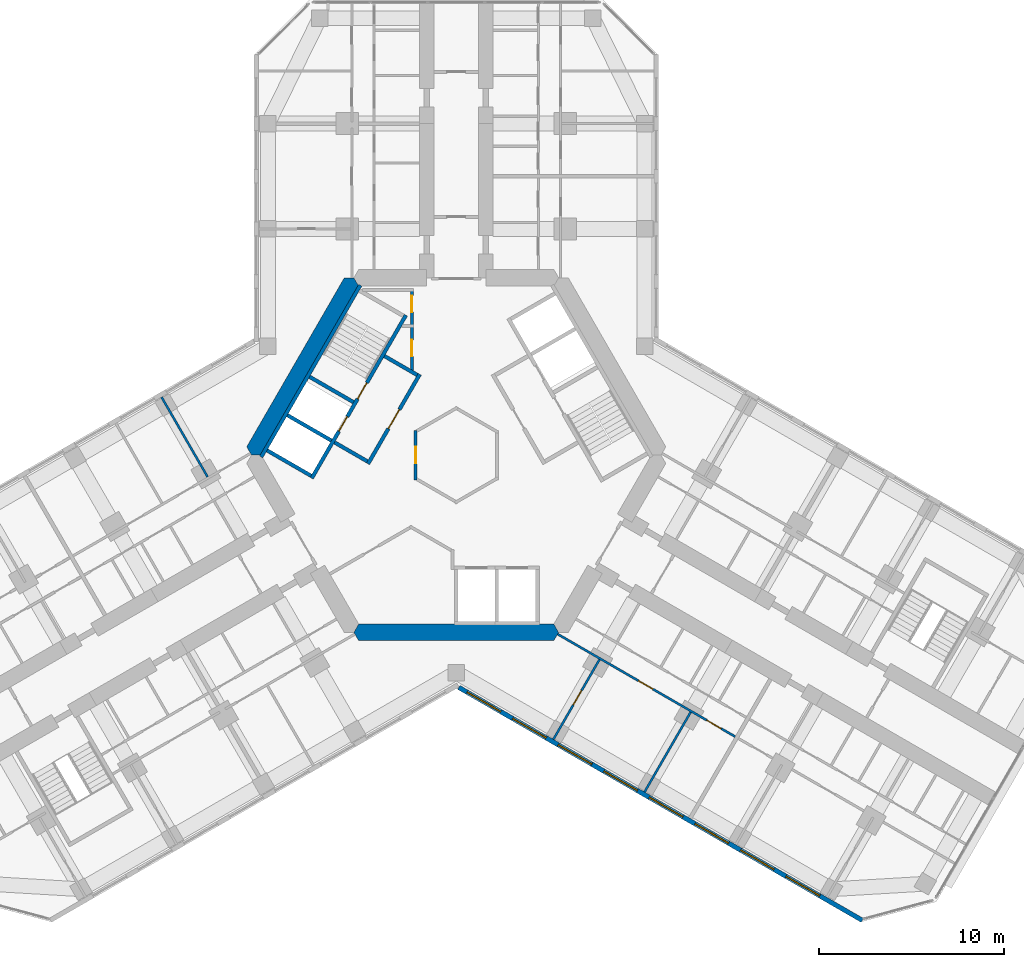
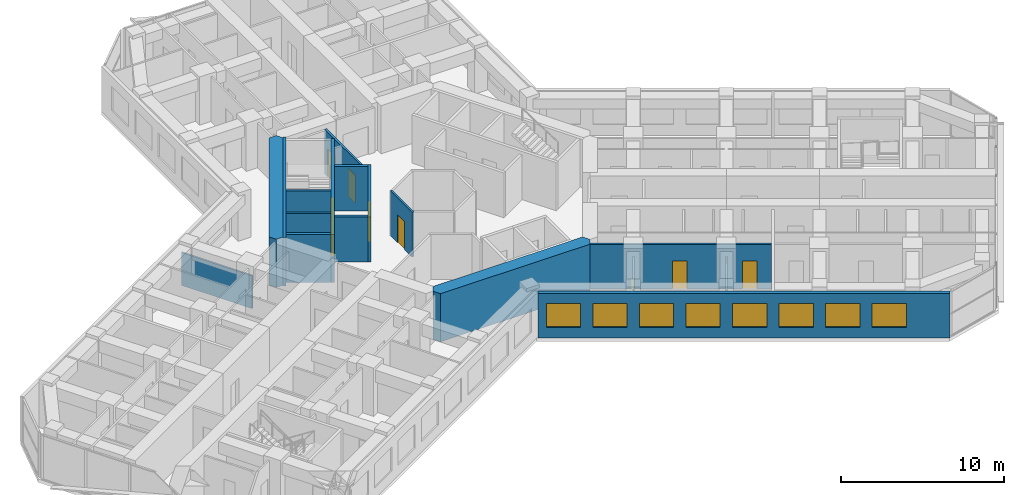
# One storey, part 13 of 20: 17 walls, 9 doors, 8 windows, 17 openings.
"""IFC4 building model written with IfcOpenShell, lengths in metres."""

from ifc_helpers import new_model, si_unit, direction, frame, frame_2d, origin, place, context, subcontext, project, spatial, polyline, rectangle, outline, extrude, material, layer, layer_set, type_object, element, fill, save


model = new_model("IFC4")

# Units and contexts
model_context = context("Model", 3, precision=1e-05, world=origin(), true_north=direction((0.0, 1.0)))
body_context = subcontext(model_context, "Body", "Model", "MODEL_VIEW")
ifc_project = project(units=[si_unit("LENGTHUNIT", "METRE"), si_unit("AREAUNIT", "SQUARE_METRE"), si_unit("VOLUMEUNIT", "CUBIC_METRE"), si_unit("PLANEANGLEUNIT", "RADIAN"), si_unit("MASSUNIT", "GRAM", prefix="KILO")], contexts=[model_context])

# Site, building, storey
site_placement = place(None, origin())
site = spatial("IfcSite", under=ifc_project, at=site_placement, CompositionType="ELEMENT")
building_placement = place(site_placement, origin())
building = spatial("IfcBuilding", under=site, at=building_placement, Name="Kosmar Iwan School Tower", CompositionType="ELEMENT")
storey_placement = place(building_placement, frame((0.0, 0.0, 131.0)))
storey = spatial("IfcBuildingStorey", under=building, at=storey_placement, Name="L32", CompositionType="ELEMENT", Elevation=131.0)

# Wall, openings, doors
ifc_material_1 = material(Name="Gypsum board on steel studs, fire-rated", Category="steel")
ifc_layer_1 = layer(ifc_material_1, 0.14990234375)
ifc_layer_set_1 = layer_set([ifc_layer_1], Name="Core room partition 150")
wall_type_1 = type_object("IfcWallType", Name="Core room partition 150", PredefinedType="PARTITIONING", material=ifc_layer_set_1)
wall_1_placement = place(storey_placement, frame((-2.39990234375, 9.014892578125, 0.0), z_axis=(0.0, 0.0, 1.0), x_axis=(0.0, -1.0, 0.0)))
wall_1 = element("IfcWall", 1, at=wall_1_placement, inside=storey, type_object=wall_type_1, Name="Core room partition L32-CW1", PredefinedType="PARTITIONING", context=body_context, shape_type="SweptSolid", body=[
    extrude(rectangle(XDim=4.484130859375, YDim=0.14990234375, at=frame_2d((2.2421875, 0.0))), origin(), (0.0, 0.0, 1.0), 3.35009765625),
])
opening_1_placement = place(wall_1_placement, frame((0.375, 0.0, 0.0)))
opening_1 = element("IfcOpeningElement", 2, at=opening_1_placement, cuts=wall_1, Name="Opening D14", PredefinedType="OPENING", context=body_context, shape_type="SweptSolid", body=[
    extrude(rectangle(XDim=0.89990234375, YDim=2.10009765625, at=frame_2d((0.449951171875, 1.050048828125))), frame((0.0, 0.0869140625, 0.0), z_axis=(0.0, -1.0, 0.0), x_axis=(1.0, 0.0, 0.0)), (0.0, 0.0, 1.0), 0.173828125),
])
opening_2_placement = place(wall_1_placement, frame((2.77490234375, 0.0, 0.0)))
opening_2 = element("IfcOpeningElement", 3, at=opening_2_placement, cuts=wall_1, Name="Opening D14", PredefinedType="OPENING", context=body_context, shape_type="SweptSolid", body=[
    extrude(rectangle(XDim=0.89990234375, YDim=2.10009765625, at=frame_2d((0.449951171875, 1.050048828125))), frame((0.0, 0.0869140625, 0.0), z_axis=(0.0, -1.0, 0.0), x_axis=(1.0, 0.0, 0.0)), (0.0, 0.0, 1.0), 0.173828125),
])
ifc_material_2 = material(Name="Timber fire door in steel frame", Category="steel")
door_type_1 = type_object("IfcDoorType", Name="Core room door 900x2100", OperationType="SINGLE_SWING_LEFT", PredefinedType="DOOR", material=ifc_material_2)
door_1_placement = place(opening_1_placement, origin())
door_1 = element("IfcDoor", 4, at=door_1_placement, inside=storey, type_object=door_type_1, Name="Electrical riser and switch room door L32 1", OperationType="SINGLE_SWING_LEFT", OverallHeight=2.10009765625, OverallWidth=0.89990234375, PredefinedType="DOOR", context=body_context, shape_type="SweptSolid", body=[
    extrude(rectangle(XDim=0.89990234375, YDim=2.10009765625, at=frame_2d((0.449951171875, 1.050048828125))), frame((0.0, 0.02490234375, 0.0), z_axis=(0.0, -1.0, 0.0), x_axis=(1.0, 0.0, 0.0)), (0.0, 0.0, 1.0), 0.050048828125),
])
fill(opening_1, door_1)
door_2_placement = place(opening_2_placement, origin())
door_2 = element("IfcDoor", 5, at=door_2_placement, inside=storey, type_object=door_type_1, Name="Plumbing and wet riser door L32 2", OperationType="SINGLE_SWING_RIGHT", OverallHeight=2.10009765625, OverallWidth=0.89990234375, PredefinedType="DOOR", context=body_context, shape_type="SweptSolid", body=[
    extrude(rectangle(XDim=0.89990234375, YDim=2.10009765625, at=frame_2d((0.449951171875, 1.050048828125))), frame((0.0, 0.02490234375, 0.0), z_axis=(0.0, -1.0, 0.0), x_axis=(1.0, 0.0, 0.0)), (0.0, 0.0, 1.0), 0.050048828125),
])
fill(opening_2, door_2)

# Wall, opening, door
wall_2_placement = place(storey_placement, frame((-2.199951171875, -1.34521484375, 0.0), z_axis=(0.0, 0.0, 1.0), x_axis=(0.0, 1.0, 0.0)))
wall_2 = element("IfcWall", 6, at=wall_2_placement, inside=storey, type_object=wall_type_1, Name="Core room partition L32-CW10", PredefinedType="PARTITIONING", context=body_context, shape_type="SweptSolid", body=[
    extrude(rectangle(XDim=2.6904296875, YDim=0.14990234375, at=frame_2d((1.34521484375, 0.0))), origin(), (0.0, 0.0, 1.0), 3.35009765625),
])
opening_3_placement = place(wall_2_placement, frame((0.89501953125, 0.0, 0.0)))
opening_3 = element("IfcOpeningElement", 7, at=opening_3_placement, cuts=wall_2, Name="Opening D14", PredefinedType="OPENING", context=body_context, shape_type="SweptSolid", body=[
    extrude(rectangle(XDim=0.89990234375, YDim=2.10009765625, at=frame_2d((0.449951171875, 1.050048828125))), frame((0.0, 0.0869140625, 0.0), z_axis=(0.0, -1.0, 0.0), x_axis=(1.0, 0.0, 0.0)), (0.0, 0.0, 1.0), 0.173828125),
])
door_3_placement = place(opening_3_placement, origin())
door_3 = element("IfcDoor", 8, at=door_3_placement, inside=storey, type_object=door_type_1, Name="Vending room door L32 4", OperationType="SINGLE_SWING_RIGHT", OverallHeight=2.10009765625, OverallWidth=0.89990234375, PredefinedType="DOOR", context=body_context, shape_type="SweptSolid", body=[
    extrude(rectangle(XDim=0.89990234375, YDim=2.10009765625, at=frame_2d((0.449951171875, 1.050048828125))), frame((0.0, 0.02490234375, 0.0), z_axis=(0.0, -1.0, 0.0), x_axis=(1.0, 0.0, 0.0)), (0.0, 0.0, 1.0), 0.050048828125),
])
fill(opening_3, door_3)

# Walls
ifc_material_3 = material(Name="Concrete C50/60", Category="concrete")
ifc_layer_2 = layer(ifc_material_3, 0.89990234375)
ifc_layer_set_2 = layer_set([ifc_layer_2], Name="Core wall 900")
wall_type_2 = type_object("IfcWallType", Name="Core wall 900", PredefinedType="SHEAR", material=ifc_layer_set_2)
wall_3_placement = place(storey_placement, origin())
element("IfcWall", 9, at=wall_3_placement, inside=storey, type_object=wall_type_2, Name="Core wall F150", PredefinedType="SHEAR", context=body_context, shape_type="SweptSolid", body=[
    extrude(outline(polyline([(-11.085205078125, 0.0), (-10.5654296875, 0.0), (-5.28271484375, 9.14990234375), (-5.54248046875, 9.60009765625), (-6.062255859375, 9.60009765625), (-11.344970703125, 0.449951171875), (-11.085205078125, 0.0)])), origin(), (0.0, 0.0, 1.0), 3.60009765625),
])
wall_4_placement = place(storey_placement, origin())
element("IfcWall", 10, at=wall_4_placement, inside=storey, type_object=wall_type_2, Name="Core wall F270", PredefinedType="SHEAR", context=body_context, shape_type="SweptSolid", body=[
    extrude(outline(polyline([(-5.28271484375, -10.050048828125), (5.28271484375, -10.050048828125), (5.54248046875, -9.60009765625), (5.28271484375, -9.14990234375), (-5.28271484375, -9.14990234375), (-5.54248046875, -9.60009765625), (-5.28271484375, -10.050048828125)])), origin(), (0.0, 0.0, 1.0), 3.60009765625),
])
ifc_material_4 = material(Name="Gypsum board on steel studs", Category="steel")
ifc_layer_3 = layer(ifc_material_4, 0.1201171875)
ifc_layer_set_3 = layer_set([ifc_layer_3], Name="Dwelling partition 120")
wall_type_3 = type_object("IfcWallType", Name="Dwelling partition 120", PredefinedType="PARTITIONING", material=ifc_layer_set_3)
wall_5_placement = place(storey_placement, frame((-13.4638671875, -1.179931640625, 0.0), z_axis=(0.0, 0.0, 1.0), x_axis=(-0.499975153383, 0.86603974851, 0.0)))
element("IfcWall", 11, at=wall_5_placement, inside=storey, type_object=wall_type_3, Name="Partition L32-BR1-X1", PredefinedType="PARTITIONING", context=body_context, shape_type="SweptSolid", body=[
    extrude(rectangle(XDim=4.989990234375, YDim=0.1201171875, at=frame_2d((2.4951171875, 0.0))), origin(), (0.0, 0.0, 1.0), 2.449951171875),
])

# Wall, openings, doors
wall_6_placement = place(storey_placement, frame((5.48876953125, -9.693115234375, 0.0), z_axis=(0.0, 0.0, 1.0), x_axis=(0.866026992824, -0.499997247692, 0.0)))
wall_6 = element("IfcWall", 12, at=wall_6_placement, inside=storey, type_object=wall_type_3, Name="Partition L32-CR1-W2", PredefinedType="PARTITIONING", context=body_context, shape_type="SweptSolid", body=[
    extrude(rectangle(XDim=11.10009765625, YDim=0.1201171875, at=frame_2d((5.550048828125, 0.0))), origin(), (0.0, 0.0, 1.0), 3.35009765625),
])
opening_4_placement = place(wall_6_placement, frame((5.050048828125, 0.0, 0.0)))
opening_4 = element("IfcOpeningElement", 13, at=opening_4_placement, cuts=wall_6, Name="Opening D2", PredefinedType="OPENING", context=body_context, shape_type="SweptSolid", body=[
    extrude(rectangle(XDim=0.89990234375, YDim=2.10009765625, at=frame_2d((0.449951171875, 1.050048828125))), frame((0.0, 0.072021484375, 0.0), z_axis=(0.0, -1.0, 0.0), x_axis=(1.0, 0.0, 0.0)), (0.0, 0.0, 1.0), 0.14404296875),
])
opening_5_placement = place(wall_6_placement, frame((9.324951171875, 0.0, 0.0)))
opening_5 = element("IfcOpeningElement", 14, at=opening_5_placement, cuts=wall_6, Name="Opening D2", PredefinedType="OPENING", context=body_context, shape_type="SweptSolid", body=[
    extrude(rectangle(XDim=0.89990234375, YDim=2.10009765625, at=frame_2d((0.449951171875, 1.050048828125))), frame((0.0, 0.072021484375, 0.0), z_axis=(0.0, -1.0, 0.0), x_axis=(1.0, 0.0, 0.0)), (0.0, 0.0, 1.0), 0.14404296875),
])
ifc_material_5 = material(Name="Timber door in timber frame", Category="wood")
door_type_2 = type_object("IfcDoorType", Name="Internal door 900x2100", OperationType="SINGLE_SWING_LEFT", PredefinedType="DOOR", material=ifc_material_5)
door_4_placement = place(opening_4_placement, origin())
door_4 = element("IfcDoor", 15, at=door_4_placement, inside=storey, type_object=door_type_2, Name="Family room door L32-CR1-F2", OperationType="SINGLE_SWING_LEFT", OverallHeight=2.10009765625, OverallWidth=0.89990234375, PredefinedType="DOOR", context=body_context, shape_type="SweptSolid", body=[
    extrude(rectangle(XDim=0.89990234375, YDim=2.10009765625, at=frame_2d((0.449951171875, 1.050048828125))), frame((0.0, 0.02490234375, 0.0), z_axis=(0.0, -1.0, 0.0), x_axis=(1.0, 0.0, 0.0)), (0.0, 0.0, 1.0), 0.050048828125),
])
fill(opening_4, door_4)
door_5_placement = place(opening_5_placement, origin())
door_5 = element("IfcDoor", 16, at=door_5_placement, inside=storey, type_object=door_type_2, Name="Bedroom 1 door L32-CR1-F3", OperationType="SINGLE_SWING_RIGHT", OverallHeight=2.10009765625, OverallWidth=0.89990234375, PredefinedType="DOOR", context=body_context, shape_type="SweptSolid", body=[
    extrude(rectangle(XDim=0.89990234375, YDim=2.10009765625, at=frame_2d((0.449951171875, 1.050048828125))), frame((0.0, 0.02490234375, 0.0), z_axis=(0.0, -1.0, 0.0), x_axis=(1.0, 0.0, 0.0)), (0.0, 0.0, 1.0), 0.050048828125),
])
fill(opening_5, door_5)

# Wall, opening, door
wall_7_placement = place(storey_placement, frame((7.75390625, -11.070068359375, 0.0), z_axis=(0.0, 0.0, 1.0), x_axis=(-0.500011847778, -0.866018563358, 0.0)))
wall_7 = element("IfcWall", 17, at=wall_7_placement, inside=storey, type_object=wall_type_3, Name="Partition L32-CR1-X1", PredefinedType="PARTITIONING", context=body_context, shape_type="SweptSolid", body=[
    extrude(rectangle(XDim=4.990234375, YDim=0.1201171875, at=frame_2d((2.4951171875, 0.0))), origin(), (0.0, 0.0, 1.0), 2.449951171875),
])
opening_6_placement = place(wall_7_placement, frame((1.93994140625, 0.0, 0.0)))
opening_6 = element("IfcOpeningElement", 18, at=opening_6_placement, cuts=wall_7, Name="Opening D2", PredefinedType="OPENING", context=body_context, shape_type="SweptSolid", body=[
    extrude(rectangle(XDim=0.89990234375, YDim=2.10009765625, at=frame_2d((0.449951171875, 1.050048828125))), frame((0.0, 0.072021484375, 0.0), z_axis=(0.0, -1.0, 0.0), x_axis=(1.0, 0.0, 0.0)), (0.0, 0.0, 1.0), 0.14404296875),
])
door_6_placement = place(opening_6_placement, origin())
door_6 = element("IfcDoor", 19, at=door_6_placement, inside=storey, type_object=door_type_2, Name="Kitchen and dining room door L32-CR1-F1", OperationType="SINGLE_SWING_LEFT", OverallHeight=2.10009765625, OverallWidth=0.89990234375, PredefinedType="DOOR", context=body_context, shape_type="SweptSolid", body=[
    extrude(rectangle(XDim=0.89990234375, YDim=2.10009765625, at=frame_2d((0.449951171875, 1.050048828125))), frame((0.0, 0.02490234375, 0.0), z_axis=(0.0, -1.0, 0.0), x_axis=(1.0, 0.0, 0.0)), (0.0, 0.0, 1.0), 0.050048828125),
])
fill(opening_6, door_6)

# Wall
wall_8_placement = place(storey_placement, frame((12.690185546875, -13.919921875, 0.0), z_axis=(0.0, 0.0, 1.0), x_axis=(-0.500011847778, -0.866018563358, 0.0)))
element("IfcWall", 20, at=wall_8_placement, inside=storey, type_object=wall_type_3, Name="Partition L32-CR1-X2", PredefinedType="PARTITIONING", context=body_context, shape_type="SweptSolid", body=[
    extrude(rectangle(XDim=4.990234375, YDim=0.1201171875, at=frame_2d((2.4951171875, 0.0))), origin(), (0.0, 0.0, 1.0), 2.449951171875),
])

# Wall, openings, windows
ifc_material_6 = material(Name="Black aluminium rainscreen on insulated framing", Category="aluminium")
ifc_layer_4 = layer(ifc_material_6, 0.25)
ifc_layer_set_4 = layer_set([ifc_layer_4], Name="External wall rainscreen 250")
wall_type_4 = type_object("IfcWallType", Name="External wall rainscreen 250", PredefinedType="SOLIDWALL", material=ifc_layer_set_4)
wall_9_placement = place(storey_placement, frame((0.137939453125, -12.5791015625, 0.0), z_axis=(0.0, 0.0, 1.0), x_axis=(0.866023775649, -0.500002820003, 0.0)))
wall_9 = element("IfcWall", 21, at=wall_9_placement, inside=storey, type_object=wall_type_4, Name="External wall CR L32", PredefinedType="SOLIDWALL", context=body_context, shape_type="SweptSolid", body=[
    extrude(rectangle(XDim=25.226318359375, YDim=0.25, at=frame_2d((12.61328125, 0.0))), origin(), (0.0, 0.0, 1.0), 3.35009765625),
])
opening_7_placement = place(wall_9_placement, frame((0.51611328125, 0.0, 0.800048828125)))
opening_7 = element("IfcOpeningElement", 22, at=opening_7_placement, cuts=wall_9, Name="Opening W4", PredefinedType="OPENING", context=body_context, shape_type="SweptSolid", body=[
    extrude(rectangle(XDim=2.10009765625, YDim=1.800048828125, at=frame_2d((1.050048828125, 0.89990234375))), frame((0.0, 0.136962890625, 0.0), z_axis=(0.0, -1.0, 0.0), x_axis=(1.0, 0.0, 0.0)), (0.0, 0.0, 1.0), 0.27392578125),
])
opening_8_placement = place(wall_9_placement, frame((3.365966796875, 0.0, 0.800048828125)))
opening_8 = element("IfcOpeningElement", 23, at=opening_8_placement, cuts=wall_9, Name="Opening W4", PredefinedType="OPENING", context=body_context, shape_type="SweptSolid", body=[
    extrude(rectangle(XDim=2.10009765625, YDim=1.800048828125, at=frame_2d((1.050048828125, 0.89990234375))), frame((0.0, 0.136962890625, 0.0), z_axis=(0.0, -1.0, 0.0), x_axis=(1.0, 0.0, 0.0)), (0.0, 0.0, 1.0), 0.27392578125),
])
opening_9_placement = place(wall_9_placement, frame((6.216064453125, 0.0, 0.800048828125)))
opening_9 = element("IfcOpeningElement", 24, at=opening_9_placement, cuts=wall_9, Name="Opening W4", PredefinedType="OPENING", context=body_context, shape_type="SweptSolid", body=[
    extrude(rectangle(XDim=2.10009765625, YDim=1.800048828125, at=frame_2d((1.050048828125, 0.89990234375))), frame((0.0, 0.136962890625, 0.0), z_axis=(0.0, -1.0, 0.0), x_axis=(1.0, 0.0, 0.0)), (0.0, 0.0, 1.0), 0.27392578125),
])
opening_10_placement = place(wall_9_placement, frame((9.06591796875, 0.0, 0.800048828125)))
opening_10 = element("IfcOpeningElement", 25, at=opening_10_placement, cuts=wall_9, Name="Opening W4", PredefinedType="OPENING", context=body_context, shape_type="SweptSolid", body=[
    extrude(rectangle(XDim=2.10009765625, YDim=1.800048828125, at=frame_2d((1.050048828125, 0.89990234375))), frame((0.0, 0.136962890625, 0.0), z_axis=(0.0, -1.0, 0.0), x_axis=(1.0, 0.0, 0.0)), (0.0, 0.0, 1.0), 0.27392578125),
])
opening_11_placement = place(wall_9_placement, frame((11.916015625, 0.0, 0.800048828125)))
opening_11 = element("IfcOpeningElement", 26, at=opening_11_placement, cuts=wall_9, Name="Opening W4", PredefinedType="OPENING", context=body_context, shape_type="SweptSolid", body=[
    extrude(rectangle(XDim=2.10009765625, YDim=1.800048828125, at=frame_2d((1.050048828125, 0.89990234375))), frame((0.0, 0.136962890625, 0.0), z_axis=(0.0, -1.0, 0.0), x_axis=(1.0, 0.0, 0.0)), (0.0, 0.0, 1.0), 0.27392578125),
])
opening_12_placement = place(wall_9_placement, frame((14.76611328125, 0.0, 0.800048828125)))
opening_12 = element("IfcOpeningElement", 27, at=opening_12_placement, cuts=wall_9, Name="Opening W4", PredefinedType="OPENING", context=body_context, shape_type="SweptSolid", body=[
    extrude(rectangle(XDim=2.10009765625, YDim=1.800048828125, at=frame_2d((1.050048828125, 0.89990234375))), frame((0.0, 0.136962890625, 0.0), z_axis=(0.0, -1.0, 0.0), x_axis=(1.0, 0.0, 0.0)), (0.0, 0.0, 1.0), 0.27392578125),
])
opening_13_placement = place(wall_9_placement, frame((17.615966796875, 0.0, 0.800048828125)))
opening_13 = element("IfcOpeningElement", 28, at=opening_13_placement, cuts=wall_9, Name="Opening W4", PredefinedType="OPENING", context=body_context, shape_type="SweptSolid", body=[
    extrude(rectangle(XDim=2.10009765625, YDim=1.800048828125, at=frame_2d((1.050048828125, 0.89990234375))), frame((0.0, 0.136962890625, 0.0), z_axis=(0.0, -1.0, 0.0), x_axis=(1.0, 0.0, 0.0)), (0.0, 0.0, 1.0), 0.27392578125),
])
opening_14_placement = place(wall_9_placement, frame((20.466064453125, 0.0, 0.800048828125)))
opening_14 = element("IfcOpeningElement", 29, at=opening_14_placement, cuts=wall_9, Name="Opening W4", PredefinedType="OPENING", context=body_context, shape_type="SweptSolid", body=[
    extrude(rectangle(XDim=2.10009765625, YDim=1.800048828125, at=frame_2d((1.050048828125, 0.89990234375))), frame((0.0, 0.136962890625, 0.0), z_axis=(0.0, -1.0, 0.0), x_axis=(1.0, 0.0, 0.0)), (0.0, 0.0, 1.0), 0.27392578125),
])
ifc_material_7 = material(Name="Black aluminium frame with dark triple glazing", Category="aluminium")
window_type = type_object("IfcWindowType", Name="Window 2100x1800", PartitioningType="SINGLE_PANEL", PredefinedType="WINDOW", material=ifc_material_7)
window_1_placement = place(opening_7_placement, origin())
window_1 = element("IfcWindow", 30, at=window_1_placement, inside=storey, type_object=window_type, Name="Window CR L32 -1", OverallHeight=1.800048828125, OverallWidth=2.10009765625, PartitioningType="SINGLE_PANEL", PredefinedType="WINDOW", context=body_context, shape_type="SweptSolid", body=[
    extrude(rectangle(XDim=2.10009765625, YDim=1.800048828125, at=frame_2d((1.050048828125, 0.89990234375))), frame((0.0, 0.030029296875, 0.0), z_axis=(0.0, -1.0, 0.0), x_axis=(1.0, 0.0, 0.0)), (0.0, 0.0, 1.0), 0.06005859375),
])
fill(opening_7, window_1)
window_2_placement = place(opening_8_placement, origin())
window_2 = element("IfcWindow", 31, at=window_2_placement, inside=storey, type_object=window_type, Name="Window CR L32 0", OverallHeight=1.800048828125, OverallWidth=2.10009765625, PartitioningType="SINGLE_PANEL", PredefinedType="WINDOW", context=body_context, shape_type="SweptSolid", body=[
    extrude(rectangle(XDim=2.10009765625, YDim=1.800048828125, at=frame_2d((1.050048828125, 0.89990234375))), frame((0.0, 0.030029296875, 0.0), z_axis=(0.0, -1.0, 0.0), x_axis=(1.0, 0.0, 0.0)), (0.0, 0.0, 1.0), 0.06005859375),
])
fill(opening_8, window_2)
window_3_placement = place(opening_9_placement, origin())
window_3 = element("IfcWindow", 32, at=window_3_placement, inside=storey, type_object=window_type, Name="Window CR L32 1", OverallHeight=1.800048828125, OverallWidth=2.10009765625, PartitioningType="SINGLE_PANEL", PredefinedType="WINDOW", context=body_context, shape_type="SweptSolid", body=[
    extrude(rectangle(XDim=2.10009765625, YDim=1.800048828125, at=frame_2d((1.050048828125, 0.89990234375))), frame((0.0, 0.030029296875, 0.0), z_axis=(0.0, -1.0, 0.0), x_axis=(1.0, 0.0, 0.0)), (0.0, 0.0, 1.0), 0.06005859375),
])
fill(opening_9, window_3)
window_4_placement = place(opening_10_placement, origin())
window_4 = element("IfcWindow", 33, at=window_4_placement, inside=storey, type_object=window_type, Name="Window CR L32 2", OverallHeight=1.800048828125, OverallWidth=2.10009765625, PartitioningType="SINGLE_PANEL", PredefinedType="WINDOW", context=body_context, shape_type="SweptSolid", body=[
    extrude(rectangle(XDim=2.10009765625, YDim=1.800048828125, at=frame_2d((1.050048828125, 0.89990234375))), frame((0.0, 0.030029296875, 0.0), z_axis=(0.0, -1.0, 0.0), x_axis=(1.0, 0.0, 0.0)), (0.0, 0.0, 1.0), 0.06005859375),
])
fill(opening_10, window_4)
window_5_placement = place(opening_11_placement, origin())
window_5 = element("IfcWindow", 34, at=window_5_placement, inside=storey, type_object=window_type, Name="Window CR L32 3", OverallHeight=1.800048828125, OverallWidth=2.10009765625, PartitioningType="SINGLE_PANEL", PredefinedType="WINDOW", context=body_context, shape_type="SweptSolid", body=[
    extrude(rectangle(XDim=2.10009765625, YDim=1.800048828125, at=frame_2d((1.050048828125, 0.89990234375))), frame((0.0, 0.030029296875, 0.0), z_axis=(0.0, -1.0, 0.0), x_axis=(1.0, 0.0, 0.0)), (0.0, 0.0, 1.0), 0.06005859375),
])
fill(opening_11, window_5)
window_6_placement = place(opening_12_placement, origin())
window_6 = element("IfcWindow", 35, at=window_6_placement, inside=storey, type_object=window_type, Name="Window CR L32 4", OverallHeight=1.800048828125, OverallWidth=2.10009765625, PartitioningType="SINGLE_PANEL", PredefinedType="WINDOW", context=body_context, shape_type="SweptSolid", body=[
    extrude(rectangle(XDim=2.10009765625, YDim=1.800048828125, at=frame_2d((1.050048828125, 0.89990234375))), frame((0.0, 0.030029296875, 0.0), z_axis=(0.0, -1.0, 0.0), x_axis=(1.0, 0.0, 0.0)), (0.0, 0.0, 1.0), 0.06005859375),
])
fill(opening_12, window_6)
window_7_placement = place(opening_13_placement, origin())
window_7 = element("IfcWindow", 36, at=window_7_placement, inside=storey, type_object=window_type, Name="Window CR L32 5", OverallHeight=1.800048828125, OverallWidth=2.10009765625, PartitioningType="SINGLE_PANEL", PredefinedType="WINDOW", context=body_context, shape_type="SweptSolid", body=[
    extrude(rectangle(XDim=2.10009765625, YDim=1.800048828125, at=frame_2d((1.050048828125, 0.89990234375))), frame((0.0, 0.030029296875, 0.0), z_axis=(0.0, -1.0, 0.0), x_axis=(1.0, 0.0, 0.0)), (0.0, 0.0, 1.0), 0.06005859375),
])
fill(opening_13, window_7)
window_8_placement = place(opening_14_placement, origin())
window_8 = element("IfcWindow", 37, at=window_8_placement, inside=storey, type_object=window_type, Name="Window CR L32 6", OverallHeight=1.800048828125, OverallWidth=2.10009765625, PartitioningType="SINGLE_PANEL", PredefinedType="WINDOW", context=body_context, shape_type="SweptSolid", body=[
    extrude(rectangle(XDim=2.10009765625, YDim=1.800048828125, at=frame_2d((1.050048828125, 0.89990234375))), frame((0.0, 0.030029296875, 0.0), z_axis=(0.0, -1.0, 0.0), x_axis=(1.0, 0.0, 0.0)), (0.0, 0.0, 1.0), 0.06005859375),
])
fill(opening_14, window_8)

# Wall, opening, door
ifc_material_8 = material(Name="Concrete block masonry", Category="masonry")
ifc_layer_5 = layer(ifc_material_8, 0.199951171875)
ifc_layer_set_5 = layer_set([ifc_layer_5], Name="Fire lobby wall 200")
wall_type_5 = type_object("IfcWallType", Name="Fire lobby wall 200", PredefinedType="PARTITIONING", material=ifc_layer_set_5)
wall_10_placement = place(storey_placement, frame((-1.9775390625, 4.374755859375, 0.0), z_axis=(0.0, 0.0, 1.0), x_axis=(-0.500016814911, -0.866015695474, 0.0)))
wall_10 = element("IfcWall", 38, at=wall_10_placement, inside=storey, type_object=wall_type_5, Name="Firefighting lobby wall ST2", PredefinedType="PARTITIONING", context=body_context, shape_type="SweptSolid", body=[
    extrude(rectangle(XDim=5.599853515625, YDim=0.199951171875, at=frame_2d((2.7998046875, 0.0))), origin(), (0.0, 0.0, 1.0), 3.35009765625),
])
opening_15_placement = place(wall_10_placement, frame((2.199951171875, 0.0, 0.0)))
opening_15 = element("IfcOpeningElement", 39, at=opening_15_placement, cuts=wall_10, Name="Opening D7", PredefinedType="OPENING", context=body_context, shape_type="SweptSolid", body=[
    extrude(rectangle(XDim=1.199951171875, YDim=2.10009765625, at=frame_2d((0.60009765625, 1.050048828125))), frame((0.0, 0.112060546875, 0.0), z_axis=(0.0, -1.0, 0.0), x_axis=(1.0, 0.0, 0.0)), (0.0, 0.0, 1.0), 0.223876953125),
])
ifc_material_9 = material(Name="Steel fire door", Category="steel")
door_type_3 = type_object("IfcDoorType", Name="Fire lobby door 1200x2100", OperationType="SINGLE_SWING_LEFT", PredefinedType="DOOR", material=ifc_material_9)
door_7_placement = place(opening_15_placement, origin())
door_7 = element("IfcDoor", 40, at=door_7_placement, inside=storey, type_object=door_type_3, Name="Firefighting lobby door ST2 L32", OperationType="SINGLE_SWING_LEFT", OverallHeight=2.10009765625, OverallWidth=1.199951171875, PredefinedType="DOOR", context=body_context, shape_type="SweptSolid", body=[
    extrude(rectangle(XDim=1.199951171875, YDim=2.10009765625, at=frame_2d((0.60009765625, 1.050048828125))), frame((0.0, 0.02490234375, 0.0), z_axis=(0.0, -1.0, 0.0), x_axis=(1.0, 0.0, 0.0)), (0.0, 0.0, 1.0), 0.050048828125),
])
fill(opening_15, door_7)

# Walls
wall_11_placement = place(storey_placement, frame((-2.114013671875, 4.33837890625, 0.0), z_axis=(0.0, 0.0, 1.0), x_axis=(-0.866050731258, 0.499956128963, 0.0)))
element("IfcWall", 41, at=wall_11_placement, inside=storey, type_object=wall_type_5, Name="Firefighting lobby wall ST2", PredefinedType="PARTITIONING", context=body_context, shape_type="SweptSolid", body=[
    extrude(rectangle(XDim=2.050048828125, YDim=0.199951171875, at=frame_2d((1.02490234375, 0.0))), origin(), (0.0, 0.0, 1.0), 3.35009765625),
])
wall_12_placement = place(storey_placement, frame((-4.814208984375, -0.33837890625, 0.0), z_axis=(0.0, 0.0, 1.0), x_axis=(-0.865969381856, 0.500097020274, 0.0)))
element("IfcWall", 42, at=wall_12_placement, inside=storey, type_object=wall_type_5, Name="Firefighting lobby wall ST2", PredefinedType="PARTITIONING", context=body_context, shape_type="SweptSolid", body=[
    extrude(rectangle(XDim=2.0498046875, YDim=0.199951171875, at=frame_2d((1.02490234375, 0.0))), origin(), (0.0, 0.0, 1.0), 3.35009765625),
])

# Wall, openings, doors
ifc_material_10 = material(Name="Concrete C50/60", Category="concrete")
ifc_layer_6 = layer(ifc_material_10, 0.199951171875)
ifc_layer_set_6 = layer_set([ifc_layer_6], Name="Lift shaft wall 200")
wall_type_6 = type_object("IfcWallType", Name="Lift shaft wall 200", PredefinedType="SHEAR", material=ifc_layer_set_6)
wall_13_placement = place(storey_placement, frame((-2.72607421875, 7.578369140625, 0.0), z_axis=(0.0, 0.0, 1.0), x_axis=(-0.500005610874, -0.86602216432, 0.0)))
wall_13 = element("IfcWall", 43, at=wall_13_placement, inside=storey, type_object=wall_type_6, Name="Lift and stair front wall AB", PredefinedType="SHEAR", context=body_context, shape_type="SweptSolid", body=[
    extrude(rectangle(XDim=10.2001953125, YDim=0.199951171875, at=frame_2d((5.10009765625, 0.0))), origin(), (0.0, 0.0, 1.0), 3.60009765625),
])
opening_16_placement = place(wall_13_placement, frame((6.35009765625, 0.0, 0.0)))
opening_16 = element("IfcOpeningElement", 44, at=opening_16_placement, cuts=wall_13, Name="Opening LD2", PredefinedType="OPENING", context=body_context, shape_type="SweptSolid", body=[
    extrude(rectangle(XDim=0.89990234375, YDim=2.10009765625, at=frame_2d((0.449951171875, 1.050048828125))), frame((0.0, 0.112060546875, 0.0), z_axis=(0.0, -1.0, 0.0), x_axis=(1.0, 0.0, 0.0)), (0.0, 0.0, 1.0), 0.223876953125),
])
opening_17_placement = place(wall_13_placement, frame((4.22998046875, 0.0, 0.0)))
opening_17 = element("IfcOpeningElement", 45, at=opening_17_placement, cuts=wall_13, Name="Opening D6", PredefinedType="OPENING", context=body_context, shape_type="SweptSolid", body=[
    extrude(rectangle(XDim=1.0, YDim=2.10009765625, at=frame_2d((0.5, 1.050048828125))), frame((0.0, 0.112060546875, 0.0), z_axis=(0.0, -1.0, 0.0), x_axis=(1.0, 0.0, 0.0)), (0.0, 0.0, 1.0), 0.223876953125),
])
ifc_material_11 = material(Name="Stainless steel sliding lift door", Category="steel")
door_type_4 = type_object("IfcDoorType", Name="Firefighting lift landing door 900x2100", OperationType="SLIDING_TO_LEFT", PredefinedType="DOOR", material=ifc_material_11)
door_8_placement = place(opening_16_placement, origin())
door_8 = element("IfcDoor", 46, at=door_8_placement, inside=storey, type_object=door_type_4, Name="Lift FF2 landing door L32", OperationType="SLIDING_TO_LEFT", OverallHeight=2.10009765625, OverallWidth=0.89990234375, PredefinedType="DOOR", context=body_context, shape_type="SweptSolid", body=[
    extrude(rectangle(XDim=0.89990234375, YDim=2.10009765625, at=frame_2d((0.449951171875, 1.050048828125))), frame((0.0, 0.02490234375, 0.0), z_axis=(0.0, -1.0, 0.0), x_axis=(1.0, 0.0, 0.0)), (0.0, 0.0, 1.0), 0.050048828125),
])
fill(opening_16, door_8)
ifc_material_12 = material(Name="Steel fire door", Category="steel")
door_type_5 = type_object("IfcDoorType", Name="Stair door 1000x2100", OperationType="SINGLE_SWING_LEFT", PredefinedType="DOOR", material=ifc_material_12)
door_9_placement = place(opening_17_placement, origin())
door_9 = element("IfcDoor", 47, at=door_9_placement, inside=storey, type_object=door_type_5, Name="Stair ST2 door L32", OperationType="SINGLE_SWING_LEFT", OverallHeight=2.10009765625, OverallWidth=1.0, PredefinedType="DOOR", context=body_context, shape_type="SweptSolid", body=[
    extrude(rectangle(XDim=1.0, YDim=2.10009765625, at=frame_2d((0.5, 1.050048828125))), frame((0.0, 0.02490234375, 0.0), z_axis=(0.0, -1.0, 0.0), x_axis=(1.0, 0.0, 0.0)), (0.0, 0.0, 1.0), 0.050048828125),
])
fill(opening_17, door_9)

# Walls
wall_14_placement = place(storey_placement, frame((-5.196044921875, 9.199951171875, 0.0), z_axis=(0.0, 0.0, 1.0), x_axis=(-0.499999935134, -0.866025441235, 0.0)))
element("IfcWall", 48, at=wall_14_placement, inside=storey, type_object=wall_type_6, Name="Lift and stair back wall AB", PredefinedType="SHEAR", context=body_context, shape_type="SweptSolid", body=[
    extrude(rectangle(XDim=10.73876953125, YDim=0.199951171875, at=frame_2d((5.369384765625, 0.0))), origin(), (0.0, 0.0, 1.0), 3.60009765625),
])
for number, where, z_axis, x_axis, name in (
    (49, (-6.7626953125, 0.78662109375, 0.0), (0.0, 0.0, 1.0), (-0.866027397988, 0.499996545922, 0.0), "Lift shaft wall AB 1"),
    (50, (-7.862548828125, -1.118408203125, 0.0), (0.0, 0.0, 1.0), (-0.866027397988, 0.499996545922, 0.0), "Lift shaft wall AB 2"),
):
    element("IfcWall", number, at=place(storey_placement, frame(where, z_axis=z_axis, x_axis=x_axis)), inside=storey, type_object=wall_type_6, Name=name, PredefinedType="SHEAR", context=body_context, shape_type="SweptSolid", body=[
        extrude(rectangle(XDim=2.75, YDim=0.199951171875, at=frame_2d((1.375, 0.0))), origin(), (0.0, 0.0, 1.0), 3.60009765625),
    ])
ifc_material_13 = material(Name="Concrete C50/60", Category="concrete")
ifc_layer_7 = layer(ifc_material_13, 0.199951171875)
ifc_layer_set_7 = layer_set([ifc_layer_7], Name="Stair enclosure wall 200")
wall_type_7 = type_object("IfcWallType", Name="Stair enclosure wall 200", PredefinedType="SHEAR", material=ifc_layer_set_7)
wall_15_placement = place(storey_placement, frame((-5.562744140625, 2.865234375, 0.0), z_axis=(0.0, 0.0, 1.0), x_axis=(-0.866027397988, 0.499996545922, 0.0)))
element("IfcWall", 51, at=wall_15_placement, inside=storey, type_object=wall_type_7, Name="Stair ST2 wall", PredefinedType="SHEAR", context=body_context, shape_type="SweptSolid", body=[
    extrude(rectangle(XDim=2.75, YDim=0.199951171875, at=frame_2d((1.375, 0.0))), origin(), (0.0, 0.0, 1.0), 3.60009765625),
])

save(model, "model.ifc")
